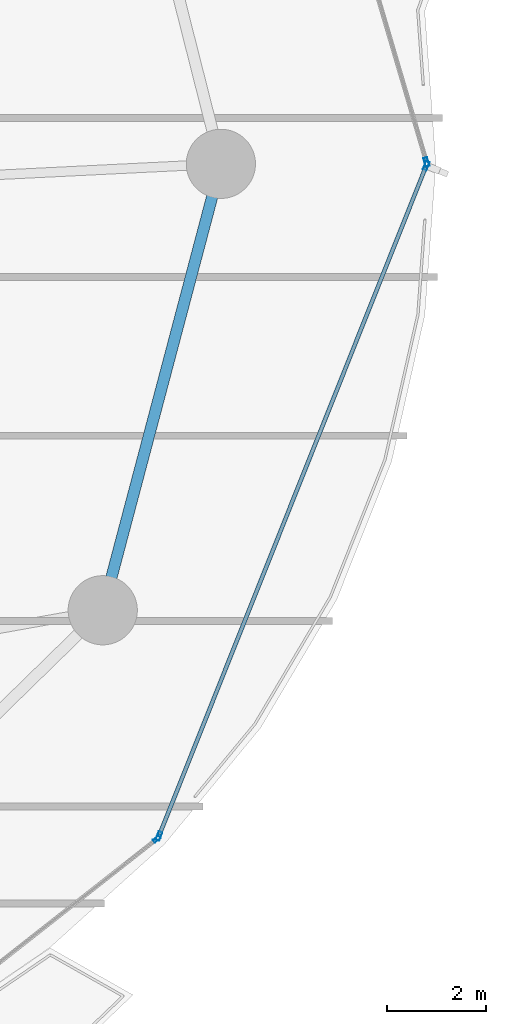
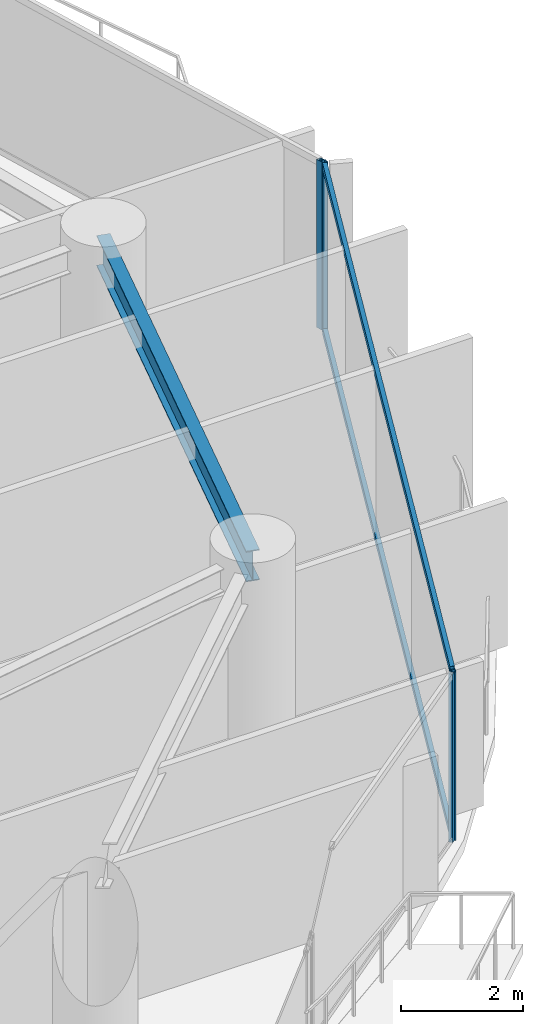
# One storey, part 23 of 34: 6 members, 1 beam, 3 elements without a shape of their own.
"""IFC4 building model written with IfcOpenShell, lengths in metres."""

import ifcopenshell
import ifcopenshell.guid

model = None  # the IFC model being written
_history = None  # IfcOwnerHistory: only IFC2X3 demands one
_inside = {}  # id of a spatial element -> (the spatial element, [elements in it])
_under = {}  # id of a project, library or spatial element -> (it, [spatial elements below it])
_declared = {}  # id of a project -> (the project, [libraries it declares])
_typed = {}  # id of a type object -> (the type object, [elements of that type])
_made_of = {}  # id of a material, layer set ... -> (it, [elements and type objects made of it])


def new_model(schema):
    """Start an empty IFC model of exactly this schema.

    Asked for "IFC4X3", IfcOpenShell would pick the latest addendum, in which some entities
    have other attributes; the version numbers below select the first issue.
    IFC2X3 requires an IfcOwnerHistory on every rooted entity: one is made here for all.
    """
    global model, _history
    if schema == "IFC4X3":
        model = ifcopenshell.file(schema_version=(4, 3, 0, 0))
    else:
        model = ifcopenshell.file(schema=schema)
    _inside.clear()
    _under.clear()
    _declared.clear()
    _typed.clear()
    _made_of.clear()
    _history = None
    if model.schema == "IFC2X3":
        org = make("IfcOrganization", Name="unknown")
        user = make(
            "IfcPersonAndOrganization",
            ThePerson=make("IfcPerson", FamilyName="unknown"),
            TheOrganization=org,
        )
        app = make(
            "IfcApplication",
            ApplicationDeveloper=org,
            Version="unknown",
            ApplicationFullName="unknown",
            ApplicationIdentifier="unknown",
        )
        _history = make(
            "IfcOwnerHistory",
            OwningUser=user,
            OwningApplication=app,
            ChangeAction="ADDED",
            CreationDate=0,
        )
    return model


def make(cls, **values):
    """One entity of the class cls with the attributes given. An attribute that is None is left unset."""
    return model.create_entity(
        cls, **{name: value for name, value in values.items() if value is not None}
    )


def rooted(cls, **values):
    """An entity with a GlobalId (a new one), such as an element, a storey or a relation."""
    return make(cls, GlobalId=ifcopenshell.guid.new(), OwnerHistory=_history, **values)


def si_unit(unit_type, name, prefix=None):
    """IfcSIUnit, for example si_unit("LENGTHUNIT", "METRE", prefix="MILLI")."""
    return make("IfcSIUnit", UnitType=unit_type, Prefix=prefix, Name=name)


def assignment(units):
    """IfcUnitAssignment: the units of a project."""
    return None if units is None else make("IfcUnitAssignment", Units=units)


def point(xyz):
    """IfcCartesianPoint."""
    return None if xyz is None else make("IfcCartesianPoint", Coordinates=xyz)


def direction(xyz):
    """IfcDirection."""
    return None if xyz is None else make("IfcDirection", DirectionRatios=xyz)


def frame(location, z_axis=None, x_axis=None):
    """IfcAxis2Placement3D, a coordinate frame: its origin and axes. An axis left out is left unset."""
    return make(
        "IfcAxis2Placement3D",
        Location=point(location),
        Axis=direction(z_axis),
        RefDirection=direction(x_axis),
    )


def frame_2d(location, x_axis=None):
    """IfcAxis2Placement2D, a coordinate frame in the plane: its origin and x axis."""
    return make(
        "IfcAxis2Placement2D", Location=point(location), RefDirection=direction(x_axis)
    )


def origin():
    """The frame at (0, 0, 0) with its axes left unset."""
    return frame((0.0, 0.0, 0.0))


def origin_2d():
    """The frame at (0, 0) in the plane with its x axis left unset."""
    return frame_2d((0.0, 0.0))


def place(relative_to, where):
    """IfcLocalPlacement: puts the frame where relative to a parent placement (None: the world)."""
    return make(
        "IfcLocalPlacement", PlacementRelTo=relative_to, RelativePlacement=where
    )


def context(
    kind, dimensions, precision=None, world=None, true_north=None, identifier=None
):
    """IfcGeometricRepresentationContext, for example the 3D "Model" context."""
    return make(
        "IfcGeometricRepresentationContext",
        ContextIdentifier=identifier,
        ContextType=kind,
        CoordinateSpaceDimension=dimensions,
        Precision=precision,
        WorldCoordinateSystem=world,
        TrueNorth=true_north,
    )


def subcontext(parent, identifier, kind, view, scale=None):
    """IfcGeometricRepresentationSubContext, for example "Body" below "Model"."""
    return make(
        "IfcGeometricRepresentationSubContext",
        ContextIdentifier=identifier,
        ContextType=kind,
        ParentContext=parent,
        TargetScale=scale,
        TargetView=view,
    )


def project(units=None, contexts=None):
    """IfcProject with its units and contexts."""
    return rooted(
        "IfcProject",
        Name="project",
        RepresentationContexts=contexts,
        UnitsInContext=assignment(units),
    )


def spatial(cls, under=None, at=None, **own):
    """A site, building, storey or space (cls), placed at a placement, below another one or the project."""
    s = rooted(cls, ObjectPlacement=at, **own)
    if under is not None:
        _under.setdefault(under.id(), (under, []))[1].append(s)
    return s


def profile(cls, at=None, kind="AREA", **sizes):
    """A parametric profile (cls). Its sizes go by their IFC names, for example OverallWidth=200.0."""
    return make(cls, ProfileType=kind, Position=at, **sizes)


def hollow_rectangle(**sizes):
    """IfcRectangleHollowProfileDef."""
    return profile("IfcRectangleHollowProfileDef", **sizes)


def i_section(**sizes):
    """IfcIShapeProfileDef."""
    return profile("IfcIShapeProfileDef", **sizes)


def extrude(swept, where, along, depth):
    """IfcExtrudedAreaSolid: the profile swept, set in the frame where, extruded along a direction by depth."""
    return make(
        "IfcExtrudedAreaSolid",
        SweptArea=swept,
        Position=where,
        ExtrudedDirection=direction(along),
        Depth=depth,
    )


def shape(context_of_items, identifier, shape_type, items):
    """IfcShapeRepresentation: the items that make up one representation, for example the "Body"."""
    return make(
        "IfcShapeRepresentation",
        ContextOfItems=context_of_items,
        RepresentationIdentifier=identifier,
        RepresentationType=shape_type,
        Items=items,
    )


def material(Name=None, Category=None):
    """IfcMaterial."""
    return make("IfcMaterial", Name=Name, Category=Category)


def layer(
    of_material, thickness, ventilated=None, Name=None, Category=None, Priority=None
):
    """IfcMaterialLayer: one layer of a wall or slab, of a material (None: an air gap)."""
    return make(
        "IfcMaterialLayer",
        Material=of_material,
        LayerThickness=thickness,
        IsVentilated=ventilated,
        Name=Name,
        Category=Category,
        Priority=Priority,
    )


def layer_set(layers, Name=None):
    """IfcMaterialLayerSet."""
    return make("IfcMaterialLayerSet", MaterialLayers=layers, LayerSetName=Name)


def material_profile(
    of_material, cross_section, Name=None, Category=None, Priority=None
):
    """IfcMaterialProfile: a cross section and its material."""
    return make(
        "IfcMaterialProfile",
        Name=Name,
        Material=of_material,
        Profile=cross_section,
        Priority=Priority,
        Category=Category,
    )


def profile_set(profiles, Name=None, composite=None):
    """IfcMaterialProfileSet."""
    return make(
        "IfcMaterialProfileSet",
        Name=Name,
        MaterialProfiles=profiles,
        CompositeProfile=composite,
    )


def made_of(thing, what):
    """Note that an element or type object is made of a material, layer set ...; save() writes the relation."""
    if what is not None:
        _made_of.setdefault(what.id(), (what, []))[1].append(thing)
    return thing


def type_object(cls, material=None, **own):
    """A type object (cls), such as IfcWallType, which elements share."""
    return made_of(rooted(cls, **own), material)


def element(
    cls,
    number,
    at=None,
    inside=None,
    cuts=None,
    type_object=None,
    material=None,
    context=None,
    identifier="Body",
    shape_type=None,
    held_by="IfcProductDefinitionShape",
    body=None,
    shapes=None,
    **own,
):
    """One element of the class cls, such as IfcWall. Its Tag is "e" and its number.

    at: its placement. inside: the storey or other place that contains it. cuts: it is an
    opening in that element (IfcRelVoidsElement). A single representation is given by context,
    identifier, shape_type and body (its items); several are given by shapes. held_by: the class
    of the entity that holds the representations. save() writes the other relations.
    """
    e = rooted(cls, Tag="e%d" % number, ObjectPlacement=at, **own)
    if body is not None:
        shapes = [shape(context, identifier, shape_type, body)]
    if shapes is not None:
        e.Representation = make(held_by, Representations=shapes)
    if inside is not None:
        _inside.setdefault(inside.id(), (inside, []))[1].append(e)
    if cuts is not None:
        rooted(
            "IfcRelVoidsElement", RelatingBuildingElement=cuts, RelatedOpeningElement=e
        )
    if type_object is not None:
        _typed.setdefault(type_object.id(), (type_object, []))[1].append(e)
    return made_of(e, material)


def aggregate(whole, parts):
    """IfcRelAggregates: a whole, such as a stair, and the parts it consists of."""
    return rooted("IfcRelAggregates", RelatingObject=whole, RelatedObjects=parts)


def save(model, path):
    """Write the relations noted so far, then the file.

    IfcRelAggregates (storeys below a building ...), IfcRelContainedInSpatialStructure (elements
    in a storey), IfcRelDefinesByType, IfcRelAssociatesMaterial and IfcRelDeclares: one each for
    every whole, place, type object, material and project.
    """
    for whole, parts in _under.values():
        aggregate(whole, parts)
    for where, things in _inside.values():
        rooted(
            "IfcRelContainedInSpatialStructure",
            RelatedElements=things,
            RelatingStructure=where,
        )
    for kind, things in _typed.values():
        rooted("IfcRelDefinesByType", RelatedObjects=things, RelatingType=kind)
    for what, things in _made_of.values():
        rooted("IfcRelAssociatesMaterial", RelatedObjects=things, RelatingMaterial=what)
    for by, libraries in _declared.values():
        rooted("IfcRelDeclares", RelatingContext=by, RelatedDefinitions=libraries)
    model.write(path)


model = new_model("IFC4")

# Units and contexts
model_context = context("Model", 3, precision=1e-05, world=origin(), true_north=direction((0.0, 1.0)))
body_context = subcontext(model_context, "Body", "Model", "MODEL_VIEW")
ifc_project = project(units=[si_unit("LENGTHUNIT", "METRE"), si_unit("AREAUNIT", "SQUARE_METRE"), si_unit("VOLUMEUNIT", "CUBIC_METRE"), si_unit("PLANEANGLEUNIT", "RADIAN"), si_unit("MASSUNIT", "GRAM", prefix="KILO")], contexts=[model_context])

# Site, building, storey
site_placement = place(None, origin())
site = spatial("IfcSite", under=ifc_project, at=site_placement, CompositionType="ELEMENT")
building_placement = place(site_placement, origin())
building = spatial("IfcBuilding", under=site, at=building_placement, Name="Kazevale Care Tower and Concert Hall", CompositionType="ELEMENT")
storey_placement = place(building_placement, frame((0.0, 0.0, 67.199951171875)))
storey = spatial("IfcBuildingStorey", under=building, at=storey_placement, Name="L17", CompositionType="ELEMENT", Elevation=67.199951171875)

# Curtain wall, members
ifc_material_1 = material(Name="Aluminium 6063-T6 and Low-E Glass", Category="aluminium")
ifc_layer_1 = layer(ifc_material_1, 0.179931640625)
ifc_layer_set_1 = layer_set([ifc_layer_1], Name="Aluminium 6063-T6 and Low-E Glass")
curtain_wall_type_1 = type_object("IfcCurtainWallType", Name="Waist & Upper Residential Curtain Wall CW-4", PredefinedType="NOTDEFINED", material=ifc_layer_set_1)
curtain_wall_1_placement = place(storey_placement, origin())
curtain_wall_1 = element("IfcCurtainWall", 1, at=curtain_wall_1_placement, inside=storey, type_object=curtain_wall_type_1, Name="cw:L17:f01", PredefinedType="NOTDEFINED")
ifc_material_2 = material(Name="Aluminium 6063-T6", Category="aluminium")
ifc_material_profile_1 = material_profile(ifc_material_2, hollow_rectangle(XDim=0.080078125, YDim=0.179931640625, WallThickness=0.0048828125, at=origin_2d()), Name="ALU80x180x5")
ifc_profile_set_1 = profile_set([ifc_material_profile_1], Name="Aluminium 6063-T6")
member_type_1 = type_object("IfcMemberType", Name="CW-4 Mullion ALU80x180x5", PredefinedType="MULLION", material=ifc_profile_set_1)
member_1_placement = place(storey_placement, frame((80.605224609375, 37.962890625, 0.0), z_axis=(0.0, 0.0, 1.0), x_axis=(0.928861412274, -0.370427424456, 0.0)))
member_1 = element("IfcMember", 2, at=member_1_placement, type_object=member_type_1, Name="CW-4 mullion 1", PredefinedType="MULLION", context=body_context, shape_type="SweptSolid", body=[
    extrude(hollow_rectangle(XDim=0.080078125, YDim=0.179931640625, WallThickness=0.0048828125, at=origin_2d()), origin(), (0.0, 0.0, 1.0), 3.360107421875),
])
member_2_placement = place(storey_placement, frame((75.19677734375, 24.401123046875, 0.0), z_axis=(0.0, 0.0, 1.0), x_axis=(0.928861412274, -0.370427424456, 0.0)))
member_2 = element("IfcMember", 3, at=member_2_placement, type_object=member_type_1, Name="CW-4 mullion 2", PredefinedType="MULLION", context=body_context, shape_type="SweptSolid", body=[
    extrude(hollow_rectangle(XDim=0.080078125, YDim=0.179931640625, WallThickness=0.0048828125, at=origin_2d()), origin(), (0.0, 0.0, 1.0), 3.360107421875),
])

# Curtain wall, member
curtain_wall_2_placement = place(storey_placement, origin())
curtain_wall_2 = element("IfcCurtainWall", 4, at=curtain_wall_2_placement, inside=storey, type_object=curtain_wall_type_1, Name="cw:L17:f18", PredefinedType="NOTDEFINED")
member_3_placement = place(storey_placement, frame((80.608642578125, 38.038330078125, 0.0), z_axis=(0.0, 0.0, 1.0), x_axis=(0.959173119586, 0.282819600918, 0.0)))
member_3 = element("IfcMember", 5, at=member_3_placement, type_object=member_type_1, Name="CW-4 mullion 2", PredefinedType="MULLION", context=body_context, shape_type="SweptSolid", body=[
    extrude(hollow_rectangle(XDim=0.080078125, YDim=0.179931640625, WallThickness=0.0048828125, at=origin_2d()), origin(), (0.0, 0.0, 1.0), 3.360107421875),
])
aggregate(curtain_wall_2, [member_3])

# Member
ifc_material_profile_2 = material_profile(ifc_material_2, hollow_rectangle(XDim=0.080078125, YDim=0.139892578125, WallThickness=0.00390625, at=origin_2d()), Name="ALU80x140x4")
ifc_profile_set_2 = profile_set([ifc_material_profile_2], Name="Aluminium 6063-T6")
member_type_2 = type_object("IfcMemberType", Name="CW-4 Transom ALU80x140x4", PredefinedType="USERDEFINED", material=ifc_profile_set_2)
member_4_placement = place(storey_placement, frame((80.59033203125, 37.92578125, 0.0400390625), z_axis=(-0.370419345682, -0.928864634026, 0.0), x_axis=(0.928864634026, -0.370419345682, 0.0)))
member_4 = element("IfcMember", 6, at=member_4_placement, type_object=member_type_2, Name="CW-4 transom 1.1", ObjectType="TRANSOM", PredefinedType="USERDEFINED", context=body_context, shape_type="SweptSolid", body=[
    extrude(hollow_rectangle(XDim=0.080078125, YDim=0.139892578125, WallThickness=0.00390625, at=origin_2d()), origin(), (0.0, 0.0, 1.0), 14.5205078125),
])

member_5_placement = place(storey_placement, frame((80.59033203125, 37.92578125, 3.320068359375), z_axis=(-0.370419345682, -0.928864634026, 0.0), x_axis=(0.928864634026, -0.370419345682, 0.0)))
member_5 = element("IfcMember", 7, at=member_5_placement, type_object=member_type_2, Name="CW-4 transom 1.2", ObjectType="TRANSOM", PredefinedType="USERDEFINED", context=body_context, shape_type="SweptSolid", body=[
    extrude(hollow_rectangle(XDim=0.080078125, YDim=0.139892578125, WallThickness=0.00390625, at=origin_2d()), origin(), (0.0, 0.0, 1.0), 14.5205078125),
])

aggregate(curtain_wall_1, [member_1, member_2, member_4, member_5])

# Curtain wall, member
ifc_layer_2 = layer(ifc_material_1, 0.179931640625)
ifc_layer_set_2 = layer_set([ifc_layer_2], Name="Aluminium 6063-T6 and Low-E Glass")
curtain_wall_type_2 = type_object("IfcCurtainWallType", Name="Sheltered Concave Balcony Curtain Wall CW-5", PredefinedType="NOTDEFINED", material=ifc_layer_set_2)
curtain_wall_3_placement = place(storey_placement, origin())
curtain_wall_3 = element("IfcCurtainWall", 8, at=curtain_wall_3_placement, inside=storey, type_object=curtain_wall_type_2, Name="cw:L17:f02", PredefinedType="NOTDEFINED")
ifc_material_profile_3 = material_profile(ifc_material_2, hollow_rectangle(XDim=0.074951171875, YDim=0.14990234375, WallThickness=0.00390625, at=origin_2d()), Name="ALU75x150x4")
ifc_profile_set_3 = profile_set([ifc_material_profile_3], Name="Aluminium 6063-T6")
member_type_3 = type_object("IfcMemberType", Name="CW-5 Mullion ALU75x150x4", PredefinedType="MULLION", material=ifc_profile_set_3)
member_6_placement = place(storey_placement, frame((75.152587890625, 24.3408203125, 0.0), z_axis=(0.0, 0.0, 1.0), x_axis=(0.617807548814, -0.78632934107, 0.0)))
member_6 = element("IfcMember", 9, at=member_6_placement, type_object=member_type_3, Name="CW-5 mullion 1", PredefinedType="MULLION", context=body_context, shape_type="SweptSolid", body=[
    extrude(hollow_rectangle(XDim=0.074951171875, YDim=0.14990234375, WallThickness=0.00390625, at=origin_2d()), origin(), (0.0, 0.0, 1.0), 3.360107421875),
])
aggregate(curtain_wall_3, [member_6])

# Beam
ifc_material_3 = material(Name="Steel ASTM A572 Gr 50", Category="steel")
ifc_material_profile_4 = material_profile(ifc_material_3, i_section(OverallWidth=0.22900390625, OverallDepth=0.612060546875, WebThickness=0.011962890625, FlangeThickness=0.01953125, at=origin_2d()), Name="W610x125")
ifc_profile_set_4 = profile_set([ifc_material_profile_4], Name="Steel ASTM A572 Gr 50")
beam_type = type_object("IfcBeamType", Name="Ring Spandrel Beam W610x125", PredefinedType="SPANDREL", material=ifc_profile_set_4)
beam_placement = place(storey_placement, frame((74.06005859375, 28.969970703125, 3.053955078125), z_axis=(0.255851611973, 0.966716066201, 0.0), x_axis=(-0.966716066201, 0.255851611973, 0.0)))
element("IfcBeam", 10, at=beam_placement, inside=storey, type_object=beam_type, Name="beam:L17:ring:16", PredefinedType="SPANDREL", context=body_context, shape_type="SweptSolid", body=[
    extrude(i_section(OverallWidth=0.22900390625, OverallDepth=0.612060546875, WebThickness=0.011962890625, FlangeThickness=0.01953125, at=origin_2d()), origin(), (0.0, 0.0, 1.0), 9.3408203125),
])

save(model, "model.ifc")
